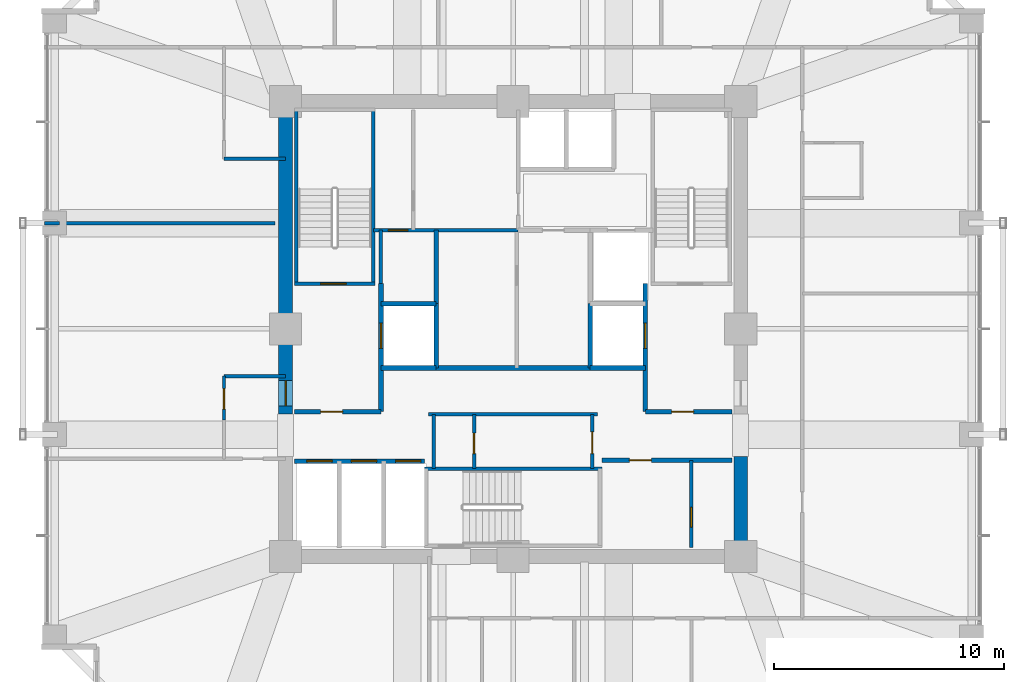
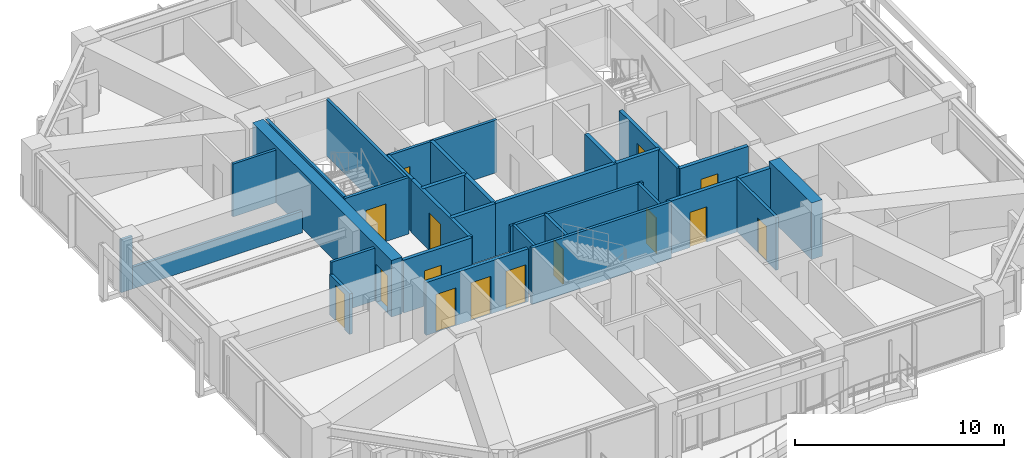
# One storey, part 34 of 39: 31 walls, 15 doors, 15 openings.
"""IFC4 building model written with IfcOpenShell, lengths in metres."""

from ifc_helpers import new_model, si_unit, direction, frame, frame_2d, origin, place, context, subcontext, project, spatial, rectangle, extrude, material, layer, layer_set, type_object, element, fill, save


model = new_model("IFC4")

# Units and contexts
model_context = context("Model", 3, precision=1e-05, world=origin(), true_north=direction((0.0, 1.0)))
body_context = subcontext(model_context, "Body", "Model", "MODEL_VIEW")
ifc_project = project(units=[si_unit("LENGTHUNIT", "METRE"), si_unit("AREAUNIT", "SQUARE_METRE"), si_unit("VOLUMEUNIT", "CUBIC_METRE"), si_unit("PLANEANGLEUNIT", "RADIAN"), si_unit("MASSUNIT", "GRAM", prefix="KILO")], contexts=[model_context])

# Site, building, storey
site_placement = place(None, origin())
site = spatial("IfcSite", under=ifc_project, at=site_placement, CompositionType="ELEMENT")
building_placement = place(site_placement, origin())
building = spatial("IfcBuilding", under=site, at=building_placement, Name="Kolvaren Belvedere", CompositionType="ELEMENT")
storey_placement = place(building_placement, frame((0.0, 0.0, 85.39990234375)))
storey = spatial("IfcBuildingStorey", under=building, at=storey_placement, Name="L24", CompositionType="ELEMENT", Elevation=85.39990234375)

# Wall
ifc_material_1 = material(Name="Concrete C60/75", Category="concrete")
ifc_layer_1 = layer(ifc_material_1, 0.60009765625)
ifc_layer_set_1 = layer_set([ifc_layer_1], Name="Concrete C60/75")
wall_type_1 = type_object("IfcWallType", Name="CW-CORE-600", PredefinedType="SHEAR", material=ifc_layer_set_1)
wall_1_placement = place(storey_placement, frame((9.89990234375, -9.60009765625, 0.0), z_axis=(0.0, 0.0, 1.0), x_axis=(0.0, 1.0, 0.0)))
element("IfcWall", 1, at=wall_1_placement, inside=storey, type_object=wall_type_1, Name="L24 East Core Shear Wall 1", PredefinedType="SHEAR", context=body_context, shape_type="SweptSolid", body=[
    extrude(rectangle(XDim=4.050048828125, YDim=0.60009765625, at=frame_2d((2.02490234375, 0.0))), origin(), (0.0, 0.0, 1.0), 3.300048828125),
])

# Wall, opening, door
wall_2_placement = place(storey_placement, frame((-9.89990234375, -3.699951171875, 0.0), z_axis=(0.0, 0.0, 1.0), x_axis=(0.0, 1.0, 0.0)))
wall_2 = element("IfcWall", 2, at=wall_2_placement, inside=storey, type_object=wall_type_1, Name="L24 West Core Shear Wall 2", PredefinedType="SHEAR", context=body_context, shape_type="SweptSolid", body=[
    extrude(rectangle(XDim=13.300048828125, YDim=0.60009765625, at=frame_2d((6.64990234375, 0.0))), origin(), (0.0, 0.0, 1.0), 3.300048828125),
])
opening_1_placement = place(wall_2_placement, frame((0.35009765625, 0.0, 0.0)))
opening_1 = element("IfcOpeningElement", 3, at=opening_1_placement, cuts=wall_2, Name="Opening D-FD90", PredefinedType="OPENING", context=body_context, shape_type="SweptSolid", body=[
    extrude(rectangle(XDim=1.10009765625, YDim=2.199951171875, at=frame_2d((0.550048828125, 1.10009765625))), frame((0.0, 0.31005859375, 0.0), z_axis=(0.0, -1.0, 0.0), x_axis=(1.0, 0.0, 0.0)), (0.0, 0.0, 1.0), 0.6201171875),
])
ifc_material_2 = material(Name="Painted hollow stainless steel", Category="steel")
door_type_1 = type_object("IfcDoorType", Name="DR-FD90-1100", OperationType="NOTDEFINED", PredefinedType="DOOR", material=ifc_material_2)
door_1_placement = place(opening_1_placement, origin())
door_1 = element("IfcDoor", 4, at=door_1_placement, inside=storey, type_object=door_type_1, Name="L24 West Firefighting Lobby Fire Door", OperationType="SINGLE_SWING_LEFT", OverallHeight=2.199951171875, OverallWidth=1.10009765625, PredefinedType="DOOR", context=body_context, shape_type="SweptSolid", body=[
    extrude(rectangle(XDim=1.10009765625, YDim=2.199951171875, at=frame_2d((0.550048828125, 1.10009765625))), frame((0.0, 0.02490234375, 0.0), z_axis=(0.0, -1.0, 0.0), x_axis=(1.0, 0.0, 0.0)), (0.0, 0.0, 1.0), 0.050048828125),
])
fill(opening_1, door_1)

ifc_material_3 = material(Name="Concrete C50/60", Category="concrete")
ifc_layer_2 = layer(ifc_material_3, 0.159912109375)
ifc_layer_set_2 = layer_set([ifc_layer_2], Name="Concrete C50/60")
wall_type_2 = type_object("IfcWallType", Name="CW-STAIR-160", PredefinedType="SHEAR", material=ifc_layer_set_2)
wall_3_placement = place(storey_placement, frame((-9.52001953125, 1.969970703125, 0.0), z_axis=(0.0, 0.0, 1.0), x_axis=(1.0, 0.0, 0.0)))
wall_3 = element("IfcWall", 5, at=wall_3_placement, inside=storey, type_object=wall_type_2, Name="L24 Stair ST-1 South Shear Wall", PredefinedType="SHEAR", context=body_context, shape_type="SweptSolid", body=[
    extrude(rectangle(XDim=3.52001953125, YDim=0.159912109375, at=frame_2d((1.760009765625, 0.0))), origin(), (0.0, 0.0, 1.0), 3.300048828125),
])
opening_2_placement = place(wall_3_placement, frame((1.14990234375, 0.0, 0.0)))
opening_2 = element("IfcOpeningElement", 6, at=opening_2_placement, cuts=wall_3, Name="Opening D-FD90", PredefinedType="OPENING", context=body_context, shape_type="SweptSolid", body=[
    extrude(rectangle(XDim=1.10009765625, YDim=2.199951171875, at=frame_2d((0.550048828125, 1.10009765625))), frame((0.0, 0.08984375, 0.0), z_axis=(0.0, -1.0, 0.0), x_axis=(1.0, 0.0, 0.0)), (0.0, 0.0, 1.0), 0.179931640625),
])
door_2_placement = place(opening_2_placement, origin())
door_2 = element("IfcDoor", 7, at=door_2_placement, inside=storey, type_object=door_type_1, Name="L24 Stair ST-1 Fire Door", OperationType="SINGLE_SWING_LEFT", OverallHeight=2.199951171875, OverallWidth=1.10009765625, PredefinedType="DOOR", context=body_context, shape_type="SweptSolid", body=[
    extrude(rectangle(XDim=1.10009765625, YDim=2.199951171875, at=frame_2d((0.550048828125, 1.10009765625))), frame((0.0, 0.02490234375, 0.0), z_axis=(0.0, -1.0, 0.0), x_axis=(1.0, 0.0, 0.0)), (0.0, 0.0, 1.0), 0.050048828125),
])
fill(opening_2, door_2)

# Walls
for number, where, z_axis, x_axis, name in (
    (8, (-9.429931640625, 1.969970703125, 0.0), (0.0, 0.0, 1.0), (0.0, 1.0, 0.0), "L24 Stair ST-1 West Shear Wall"),
    (9, (-6.080078125, 1.969970703125, 0.0), (0.0, 0.0, 1.0), (0.0, 1.0, 0.0), "L24 Stair ST-1 East Shear Wall"),
):
    element("IfcWall", number, at=place(storey_placement, frame(where, z_axis=z_axis, x_axis=x_axis)), inside=storey, type_object=wall_type_2, Name=name, PredefinedType="SHEAR", context=body_context, shape_type="SweptSolid", body=[
        extrude(rectangle(XDim=7.56005859375, YDim=0.159912109375, at=frame_2d((3.780029296875, 0.0))), origin(), (0.0, 0.0, 1.0), 3.300048828125),
    ])
wall_4_placement = place(storey_placement, frame((-3.860107421875, -6.080078125, 0.0), z_axis=(0.0, 0.0, 1.0), x_axis=(1.0, 0.0, 0.0)))
element("IfcWall", 10, at=wall_4_placement, inside=storey, type_object=wall_type_2, Name="L24 Stair ST-3 North Shear Wall", PredefinedType="SHEAR", context=body_context, shape_type="SweptSolid", body=[
    extrude(rectangle(XDim=7.72021484375, YDim=0.159912109375, at=frame_2d((3.860107421875, 0.0))), origin(), (0.0, 0.0, 1.0), 3.300048828125),
])
ifc_material_4 = material(Name="Gypsum fire-rated partition assembly", Category="gypsum")
ifc_layer_3 = layer(ifc_material_4, 0.14990234375)
ifc_layer_set_3 = layer_set([ifc_layer_3], Name="Gypsum fire-rated partition assembly")
wall_type_3 = type_object("IfcWallType", Name="WL-CORR-150", PredefinedType="PARTITIONING", material=ifc_layer_set_3)
wall_5_placement = place(storey_placement, frame((-12.580078125, 7.39990234375, 0.0), z_axis=(0.0, 0.0, 1.0), x_axis=(1.0, 0.0, 0.0)))
element("IfcWall", 11, at=wall_5_placement, inside=storey, type_object=wall_type_3, Name="L24 NW Core Closure Wall", PredefinedType="PARTITIONING", context=body_context, shape_type="SweptSolid", body=[
    extrude(rectangle(XDim=2.68017578125, YDim=0.14990234375, at=frame_2d((1.340087890625, 0.0))), origin(), (0.0, 0.0, 1.0), 3.080078125),
])

# Wall, opening, door
wall_6_placement = place(storey_placement, frame((-12.580078125, -3.9580078125, 0.0), z_axis=(0.0, 0.0, 1.0), x_axis=(0.0, 1.0, 0.0)))
wall_6 = element("IfcWall", 12, at=wall_6_placement, inside=storey, type_object=wall_type_3, Name="L24 West FSAE Pocket Wall", PredefinedType="PARTITIONING", context=body_context, shape_type="SweptSolid", body=[
    extrude(rectangle(XDim=1.907958984375, YDim=0.14990234375, at=frame_2d((0.9541015625, 0.0))), origin(), (0.0, 0.0, 1.0), 2.369140625),
])
opening_3_placement = place(wall_6_placement, frame((0.464111328125, 0.0, 0.0)))
opening_3 = element("IfcOpeningElement", 13, at=opening_3_placement, cuts=wall_6, Name="Opening D-INT90", PredefinedType="OPENING", context=body_context, shape_type="SweptSolid", body=[
    extrude(rectangle(XDim=0.89990234375, YDim=2.06005859375, at=frame_2d((0.449951171875, 1.030029296875))), frame((0.0, 0.0849609375, 0.0), z_axis=(0.0, -1.0, 0.0), x_axis=(1.0, 0.0, 0.0)), (0.0, 0.0, 1.0), 0.169921875),
])
ifc_material_5 = material(Name="Stained Pacific white oak", Category="timber")
door_type_2 = type_object("IfcDoorType", Name="DR-INT-900", OperationType="NOTDEFINED", PredefinedType="DOOR", material=ifc_material_5)
door_3_placement = place(opening_3_placement, origin())
door_3 = element("IfcDoor", 14, at=door_3_placement, inside=storey, type_object=door_type_2, Name="L24 Lounge 2408 Door", OperationType="SINGLE_SWING_RIGHT", OverallHeight=2.06005859375, OverallWidth=0.89990234375, PredefinedType="DOOR", context=body_context, shape_type="SweptSolid", body=[
    extrude(rectangle(XDim=0.89990234375, YDim=2.06005859375, at=frame_2d((0.449951171875, 1.030029296875))), frame((0.0, 0.02490234375, 0.0), z_axis=(0.0, -1.0, 0.0), x_axis=(1.0, 0.0, 0.0)), (0.0, 0.0, 1.0), 0.050048828125),
])
fill(opening_3, door_3)

# Wall
wall_7_placement = place(storey_placement, frame((-12.580078125, -2.050048828125, 0.0), z_axis=(0.0, 0.0, 1.0), x_axis=(1.0, 0.0, 0.0)))
element("IfcWall", 15, at=wall_7_placement, inside=storey, type_object=wall_type_3, Name="L24 West Pocket North Closure Wall", PredefinedType="PARTITIONING", context=body_context, shape_type="SweptSolid", body=[
    extrude(rectangle(XDim=2.68017578125, YDim=0.14990234375, at=frame_2d((1.340087890625, 0.0))), origin(), (0.0, 0.0, 1.0), 3.080078125),
])

# Wall, opening, door
ifc_material_6 = material(Name="Gypsum acoustic partition assembly", Category="gypsum")
ifc_layer_4 = layer(ifc_material_6, 0.14990234375)
ifc_layer_set_4 = layer_set([ifc_layer_4], Name="Gypsum acoustic partition assembly")
wall_type_4 = type_object("IfcWallType", Name="WL-PART-150", PredefinedType="PARTITIONING", material=ifc_layer_set_4)
wall_8_placement = place(storey_placement, frame((-6.080078125, 4.300048828125, 0.0), z_axis=(0.0, 0.0, 1.0), x_axis=(1.0, 0.0, 0.0)))
wall_8 = element("IfcWall", 16, at=wall_8_placement, inside=storey, type_object=wall_type_4, Name="L24 Reclaimed Salon South Wall", PredefinedType="PARTITIONING", context=body_context, shape_type="SweptSolid", body=[
    extrude(rectangle(XDim=6.300048828125, YDim=0.14990234375, at=frame_2d((3.14990234375, 0.0))), origin(), (0.0, 0.0, 1.0), 3.080078125),
])
opening_4_placement = place(wall_8_placement, frame((0.64990234375, 0.0, 0.0)))
opening_4 = element("IfcOpeningElement", 17, at=opening_4_placement, cuts=wall_8, Name="Opening D-INT85", PredefinedType="OPENING", context=body_context, shape_type="SweptSolid", body=[
    extrude(rectangle(XDim=0.85009765625, YDim=2.030029296875, at=frame_2d((0.425048828125, 1.01513671875))), frame((0.0, 0.0849609375, 0.0), z_axis=(0.0, -1.0, 0.0), x_axis=(1.0, 0.0, 0.0)), (0.0, 0.0, 1.0), 0.169921875),
])
ifc_material_7 = material(Name="Stained Pacific white oak", Category="timber")
door_type_3 = type_object("IfcDoorType", Name="DR-INT-850", OperationType="NOTDEFINED", PredefinedType="DOOR", material=ifc_material_7)
door_4_placement = place(opening_4_placement, origin())
door_4 = element("IfcDoor", 18, at=door_4_placement, inside=storey, type_object=door_type_3, Name="L24 NW Core Store Door", OperationType="SINGLE_SWING_RIGHT", OverallHeight=2.030029296875, OverallWidth=0.85009765625, PredefinedType="DOOR", context=body_context, shape_type="SweptSolid", body=[
    extrude(rectangle(XDim=0.85009765625, YDim=2.030029296875, at=frame_2d((0.425048828125, 1.01513671875))), frame((0.0, 0.02490234375, 0.0), z_axis=(0.0, -1.0, 0.0), x_axis=(1.0, 0.0, 0.0)), (0.0, 0.0, 1.0), 0.050048828125),
])
fill(opening_4, door_4)

wall_9_placement = place(storey_placement, frame((7.75, -9.52001953125, 0.0), z_axis=(0.0, 0.0, 1.0), x_axis=(0.0, 1.0, 0.0)))
wall_9 = element("IfcWall", 19, at=wall_9_placement, inside=storey, type_object=wall_type_4, Name="L24 SE Core Asymmetric Divider", PredefinedType="PARTITIONING", context=body_context, shape_type="SweptSolid", body=[
    extrude(rectangle(XDim=3.800048828125, YDim=0.14990234375, at=frame_2d((1.89990234375, 0.0))), origin(), (0.0, 0.0, 1.0), 3.080078125),
])
opening_5_placement = place(wall_9_placement, frame((0.89990234375, 0.0, 0.0)))
opening_5 = element("IfcOpeningElement", 20, at=opening_5_placement, cuts=wall_9, Name="Opening D-INT85", PredefinedType="OPENING", context=body_context, shape_type="SweptSolid", body=[
    extrude(rectangle(XDim=0.85009765625, YDim=2.030029296875, at=frame_2d((0.425048828125, 1.01513671875))), frame((0.0, 0.0849609375, 0.0), z_axis=(0.0, -1.0, 0.0), x_axis=(1.0, 0.0, 0.0)), (0.0, 0.0, 1.0), 0.169921875),
])
door_5_placement = place(opening_5_placement, origin())
door_5 = element("IfcDoor", 21, at=door_5_placement, inside=storey, type_object=door_type_3, Name="L24 SE Janitor Door", OperationType="SINGLE_SWING_LEFT", OverallHeight=2.030029296875, OverallWidth=0.85009765625, PredefinedType="DOOR", context=body_context, shape_type="SweptSolid", body=[
    extrude(rectangle(XDim=0.85009765625, YDim=2.030029296875, at=frame_2d((0.425048828125, 1.01513671875))), frame((0.0, 0.02490234375, 0.0), z_axis=(0.0, -1.0, 0.0), x_axis=(1.0, 0.0, 0.0)), (0.0, 0.0, 1.0), 0.050048828125),
])
fill(opening_5, door_5)

# Wall
wall_10_placement = place(storey_placement, frame((-3.679931640625, -3.719970703125, 0.0), z_axis=(0.0, 0.0, 1.0), x_axis=(1.0, 0.0, 0.0)))
element("IfcWall", 22, at=wall_10_placement, inside=storey, type_object=wall_type_4, Name="L24 South Core Service North Wall", PredefinedType="PARTITIONING", context=body_context, shape_type="SweptSolid", body=[
    extrude(rectangle(XDim=7.35986328125, YDim=0.14990234375, at=frame_2d((3.679931640625, 0.0))), origin(), (0.0, 0.0, 1.0), 3.080078125),
])

# Wall, opening, door
wall_11_placement = place(storey_placement, frame((3.449951171875, -6.080078125, 0.0), z_axis=(0.0, 0.0, 1.0), x_axis=(0.0, 1.0, 0.0)))
wall_11 = element("IfcWall", 23, at=wall_11_placement, inside=storey, type_object=wall_type_4, Name="L24 South Core Service East Wall", PredefinedType="PARTITIONING", context=body_context, shape_type="SweptSolid", body=[
    extrude(rectangle(XDim=2.360107421875, YDim=0.14990234375, at=frame_2d((1.18017578125, 0.0))), origin(), (0.0, 0.0, 1.0), 3.080078125),
])
opening_6_placement = place(wall_11_placement, frame((0.64990234375, 0.0, 0.0)))
opening_6 = element("IfcOpeningElement", 24, at=opening_6_placement, cuts=wall_11, Name="Opening D-FD60", PredefinedType="OPENING", context=body_context, shape_type="SweptSolid", body=[
    extrude(rectangle(XDim=0.949951171875, YDim=2.06005859375, at=frame_2d((0.47509765625, 1.030029296875))), frame((0.0, 0.0849609375, 0.0), z_axis=(0.0, -1.0, 0.0), x_axis=(1.0, 0.0, 0.0)), (0.0, 0.0, 1.0), 0.169921875),
])
ifc_material_8 = material(Name="Acoustic white-oak fire door leaf", Category="timber")
door_type_4 = type_object("IfcDoorType", Name="DR-FD60-950", OperationType="NOTDEFINED", PredefinedType="DOOR", material=ifc_material_8)
door_6_placement = place(opening_6_placement, origin())
door_6 = element("IfcDoor", 25, at=door_6_placement, inside=storey, type_object=door_type_4, Name="L24 Core Service Room Door", OperationType="SINGLE_SWING_LEFT", OverallHeight=2.06005859375, OverallWidth=0.949951171875, PredefinedType="DOOR", context=body_context, shape_type="SweptSolid", body=[
    extrude(rectangle(XDim=0.949951171875, YDim=2.06005859375, at=frame_2d((0.47509765625, 1.030029296875))), frame((0.0, 0.02490234375, 0.0), z_axis=(0.0, -1.0, 0.0), x_axis=(1.0, 0.0, 0.0)), (0.0, 0.0, 1.0), 0.050048828125),
])
fill(opening_6, door_6)

# Wall
wall_12_placement = place(storey_placement, frame((-3.449951171875, -6.080078125, 0.0), z_axis=(0.0, 0.0, 1.0), x_axis=(0.0, 1.0, 0.0)))
element("IfcWall", 26, at=wall_12_placement, inside=storey, type_object=wall_type_4, Name="L24 South Core Service West Wall", PredefinedType="PARTITIONING", context=body_context, shape_type="SweptSolid", body=[
    extrude(rectangle(XDim=2.360107421875, YDim=0.14990234375, at=frame_2d((1.18017578125, 0.0))), origin(), (0.0, 0.0, 1.0), 3.080078125),
])

# Wall, opening, door
wall_13_placement = place(storey_placement, frame((-1.699951171875, -6.080078125, 0.0), z_axis=(0.0, 0.0, 1.0), x_axis=(0.0, 1.0, 0.0)))
wall_13 = element("IfcWall", 27, at=wall_13_placement, inside=storey, type_object=wall_type_4, Name="L24 Core Service Divider", PredefinedType="PARTITIONING", context=body_context, shape_type="SweptSolid", body=[
    extrude(rectangle(XDim=2.360107421875, YDim=0.14990234375, at=frame_2d((1.18017578125, 0.0))), origin(), (0.0, 0.0, 1.0), 3.080078125),
])
opening_7_placement = place(wall_13_placement, frame((0.64990234375, 0.0, 0.0)))
opening_7 = element("IfcOpeningElement", 28, at=opening_7_placement, cuts=wall_13, Name="Opening D-INT90", PredefinedType="OPENING", context=body_context, shape_type="SweptSolid", body=[
    extrude(rectangle(XDim=0.89990234375, YDim=2.06005859375, at=frame_2d((0.449951171875, 1.030029296875))), frame((0.0, 0.0849609375, 0.0), z_axis=(0.0, -1.0, 0.0), x_axis=(1.0, 0.0, 0.0)), (0.0, 0.0, 1.0), 0.169921875),
])
door_7_placement = place(opening_7_placement, origin())
door_7 = element("IfcDoor", 29, at=door_7_placement, inside=storey, type_object=door_type_2, Name="L24 Telecom Inner Door", OperationType="SINGLE_SWING_RIGHT", OverallHeight=2.06005859375, OverallWidth=0.89990234375, PredefinedType="DOOR", context=body_context, shape_type="SweptSolid", body=[
    extrude(rectangle(XDim=0.89990234375, YDim=2.06005859375, at=frame_2d((0.449951171875, 1.030029296875))), frame((0.0, 0.02490234375, 0.0), z_axis=(0.0, -1.0, 0.0), x_axis=(1.0, 0.0, 0.0)), (0.0, 0.0, 1.0), 0.050048828125),
])
fill(opening_7, door_7)

# Walls
wall_14_placement = place(storey_placement, frame((-5.75, 1.969970703125, 0.0), z_axis=(0.0, 0.0, 1.0), x_axis=(0.0, 1.0, 0.0)))
element("IfcWall", 30, at=wall_14_placement, inside=storey, type_object=wall_type_4, Name="L24 NW Service Room West Wall", PredefinedType="PARTITIONING", context=body_context, shape_type="SweptSolid", body=[
    extrude(rectangle(XDim=2.330078125, YDim=0.14990234375, at=frame_2d((1.1650390625, 0.0))), origin(), (0.0, 0.0, 1.0), 3.080078125),
])
wall_15_placement = place(storey_placement, frame((-20.3798828125, 4.60009765625, 0.0), z_axis=(0.0, 0.0, 1.0), x_axis=(1.0, 0.0, 0.0)))
element("IfcWall", 31, at=wall_15_placement, inside=storey, type_object=wall_type_4, Name="L24 West Upper Suite Divider", PredefinedType="PARTITIONING", context=body_context, shape_type="SweptSolid", body=[
    extrude(rectangle(XDim=0.635986328125, YDim=0.14990234375, at=frame_2d((0.31787109375, 0.0))), origin(), (0.0, 0.0, 1.0), 3.080078125),
])
wall_16_placement = place(storey_placement, frame((-19.743896484375, 4.60009765625, 0.0), z_axis=(0.0, 0.0, 1.0), x_axis=(1.0, 0.0, 0.0)))
element("IfcWall", 32, at=wall_16_placement, inside=storey, type_object=wall_type_4, Name="L24 West Upper Suite Divider", PredefinedType="PARTITIONING", context=body_context, shape_type="SweptSolid", body=[
    extrude(rectangle(XDim=9.3837890625, YDim=0.14990234375, at=frame_2d((4.69189453125, 0.0))), origin(), (0.0, 0.0, 1.0), 1.26513671875),
])

# Wall, opening, door
ifc_material_9 = material(Name="Concrete C50/60", Category="concrete")
ifc_layer_5 = layer(ifc_material_9, 0.199951171875)
ifc_layer_set_5 = layer_set([ifc_layer_5], Name="Concrete C50/60")
wall_type_5 = type_object("IfcWallType", Name="WL-SHAFT-200", PredefinedType="SOLIDWALL", material=ifc_layer_set_5)
wall_17_placement = place(storey_placement, frame((-9.52001953125, -3.60009765625, 0.0), z_axis=(0.0, 0.0, 1.0), x_axis=(1.0, 0.0, 0.0)))
wall_17 = element("IfcWall", 33, at=wall_17_placement, inside=storey, type_object=wall_type_5, Name="L24 West FSAE Lobby South Wall", PredefinedType="SOLIDWALL", context=body_context, shape_type="SweptSolid", body=[
    extrude(rectangle(XDim=3.77001953125, YDim=0.199951171875, at=frame_2d((1.885009765625, 0.0))), origin(), (0.0, 0.0, 1.0), 3.080078125),
])
opening_8_placement = place(wall_17_placement, frame((1.14990234375, 0.0, 0.0)))
opening_8 = element("IfcOpeningElement", 34, at=opening_8_placement, cuts=wall_17, Name="Opening D-FD60", PredefinedType="OPENING", context=body_context, shape_type="SweptSolid", body=[
    extrude(rectangle(XDim=0.949951171875, YDim=2.06005859375, at=frame_2d((0.47509765625, 1.030029296875))), frame((0.0, 0.10986328125, 0.0), z_axis=(0.0, -1.0, 0.0), x_axis=(1.0, 0.0, 0.0)), (0.0, 0.0, 1.0), 0.219970703125),
])
door_8_placement = place(opening_8_placement, origin())
door_8 = element("IfcDoor", 35, at=door_8_placement, inside=storey, type_object=door_type_4, Name="L24 Mid-Rise Lift Lobby Fire Door", OperationType="SINGLE_SWING_LEFT", OverallHeight=2.06005859375, OverallWidth=0.949951171875, PredefinedType="DOOR", context=body_context, shape_type="SweptSolid", body=[
    extrude(rectangle(XDim=0.949951171875, YDim=2.06005859375, at=frame_2d((0.47509765625, 1.030029296875))), frame((0.0, 0.02490234375, 0.0), z_axis=(0.0, -1.0, 0.0), x_axis=(1.0, 0.0, 0.0)), (0.0, 0.0, 1.0), 0.050048828125),
])
fill(opening_8, door_8)

wall_18_placement = place(storey_placement, frame((-5.75, -3.60009765625, 0.0), z_axis=(0.0, 0.0, 1.0), x_axis=(0.0, 1.0, 0.0)))
wall_18 = element("IfcWall", 36, at=wall_18_placement, inside=storey, type_object=wall_type_5, Name="L24 FSAE FS1 Landing Wall", PredefinedType="SOLIDWALL", context=body_context, shape_type="SweptSolid", body=[
    extrude(rectangle(XDim=5.570068359375, YDim=0.199951171875, at=frame_2d((2.78515625, 0.0))), origin(), (0.0, 0.0, 1.0), 3.080078125),
])
opening_9_placement = place(wall_18_placement, frame((2.75, 0.0, 0.0)))
opening_9 = element("IfcOpeningElement", 37, at=opening_9_placement, cuts=wall_18, Name="Opening LD-11", PredefinedType="OPENING", context=body_context, shape_type="SweptSolid", body=[
    extrude(rectangle(XDim=1.10009765625, YDim=2.199951171875, at=frame_2d((0.550048828125, 1.10009765625))), frame((0.0, 0.10986328125, 0.0), z_axis=(0.0, -1.0, 0.0), x_axis=(1.0, 0.0, 0.0)), (0.0, 0.0, 1.0), 0.219970703125),
])
ifc_material_10 = material(Name="Brushed stainless steel", Category="steel")
door_type_5 = type_object("IfcDoorType", Name="DR-LIFT-1100", OperationType="DOUBLE_DOOR_SLIDING", PredefinedType="DOOR", material=ifc_material_10)
door_9_placement = place(opening_9_placement, origin())
door_9 = element("IfcDoor", 38, at=door_9_placement, inside=storey, type_object=door_type_5, Name="L24 Firefighting Lift FS1 Landing Door", OperationType="DOUBLE_DOOR_SLIDING", OverallHeight=2.199951171875, OverallWidth=1.10009765625, PredefinedType="DOOR", context=body_context, shape_type="SweptSolid", body=[
    extrude(rectangle(XDim=1.10009765625, YDim=2.199951171875, at=frame_2d((0.550048828125, 1.10009765625))), frame((0.0, 0.02490234375, 0.0), z_axis=(0.0, -1.0, 0.0), x_axis=(1.0, 0.0, 0.0)), (0.0, 0.0, 1.0), 0.050048828125),
])
fill(opening_9, door_9)

# Walls
wall_19_placement = place(storey_placement, frame((-3.35009765625, -1.699951171875, 0.0), z_axis=(0.0, 0.0, 1.0), x_axis=(0.0, 1.0, 0.0)))
element("IfcWall", 39, at=wall_19_placement, inside=storey, type_object=wall_type_5, Name="L24 FSAE FS1 Back Wall", PredefinedType="SOLIDWALL", context=body_context, shape_type="SweptSolid", body=[
    extrude(rectangle(XDim=2.800048828125, YDim=0.199951171875, at=frame_2d((1.39990234375, 0.0))), origin(), (0.0, 0.0, 1.0), 3.080078125),
])
for number, where, z_axis, x_axis, name in (
    (40, (-5.75, -1.699951171875, 0.0), (0.0, 0.0, 1.0), (1.0, 0.0, 0.0), "L24 FSAE FS1 South Wall"),
    (41, (-5.75, 1.10009765625, 0.0), (0.0, 0.0, 1.0), (1.0, 0.0, 0.0), "L24 FSAE FS1 North Wall"),
):
    element("IfcWall", number, at=place(storey_placement, frame(where, z_axis=z_axis, x_axis=x_axis)), inside=storey, type_object=wall_type_5, Name=name, PredefinedType="SOLIDWALL", context=body_context, shape_type="SweptSolid", body=[
        extrude(rectangle(XDim=2.39990234375, YDim=0.199951171875, at=frame_2d((1.199951171875, 0.0))), origin(), (0.0, 0.0, 1.0), 3.080078125),
    ])

# Wall, opening, door
wall_20_placement = place(storey_placement, frame((5.75, -3.60009765625, 0.0), z_axis=(0.0, 0.0, 1.0), x_axis=(1.0, 0.0, 0.0)))
wall_20 = element("IfcWall", 42, at=wall_20_placement, inside=storey, type_object=wall_type_5, Name="L24 East FSAE Lobby South Wall", PredefinedType="SOLIDWALL", context=body_context, shape_type="SweptSolid", body=[
    extrude(rectangle(XDim=3.77001953125, YDim=0.199951171875, at=frame_2d((1.885009765625, 0.0))), origin(), (0.0, 0.0, 1.0), 3.080078125),
])
opening_10_placement = place(wall_20_placement, frame((1.14990234375, 0.0, 0.0)))
opening_10 = element("IfcOpeningElement", 43, at=opening_10_placement, cuts=wall_20, Name="Opening D-FD60", PredefinedType="OPENING", context=body_context, shape_type="SweptSolid", body=[
    extrude(rectangle(XDim=0.949951171875, YDim=2.06005859375, at=frame_2d((0.47509765625, 1.030029296875))), frame((0.0, 0.10986328125, 0.0), z_axis=(0.0, -1.0, 0.0), x_axis=(1.0, 0.0, 0.0)), (0.0, 0.0, 1.0), 0.219970703125),
])
door_10_placement = place(opening_10_placement, origin())
door_10 = element("IfcDoor", 44, at=door_10_placement, inside=storey, type_object=door_type_4, Name="L24 SE Lift Lobby Fire Door", OperationType="SINGLE_SWING_RIGHT", OverallHeight=2.06005859375, OverallWidth=0.949951171875, PredefinedType="DOOR", context=body_context, shape_type="SweptSolid", body=[
    extrude(rectangle(XDim=0.949951171875, YDim=2.06005859375, at=frame_2d((0.47509765625, 1.030029296875))), frame((0.0, 0.02490234375, 0.0), z_axis=(0.0, -1.0, 0.0), x_axis=(1.0, 0.0, 0.0)), (0.0, 0.0, 1.0), 0.050048828125),
])
fill(opening_10, door_10)

wall_21_placement = place(storey_placement, frame((5.75, -3.60009765625, 0.0), z_axis=(0.0, 0.0, 1.0), x_axis=(0.0, 1.0, 0.0)))
wall_21 = element("IfcWall", 45, at=wall_21_placement, inside=storey, type_object=wall_type_5, Name="L24 FSAE FS2 Landing Wall", PredefinedType="SOLIDWALL", context=body_context, shape_type="SweptSolid", body=[
    extrude(rectangle(XDim=5.570068359375, YDim=0.199951171875, at=frame_2d((2.78515625, 0.0))), origin(), (0.0, 0.0, 1.0), 3.080078125),
])
opening_11_placement = place(wall_21_placement, frame((2.75, 0.0, 0.0)))
opening_11 = element("IfcOpeningElement", 46, at=opening_11_placement, cuts=wall_21, Name="Opening LD-11", PredefinedType="OPENING", context=body_context, shape_type="SweptSolid", body=[
    extrude(rectangle(XDim=1.10009765625, YDim=2.199951171875, at=frame_2d((0.550048828125, 1.10009765625))), frame((0.0, 0.10986328125, 0.0), z_axis=(0.0, -1.0, 0.0), x_axis=(1.0, 0.0, 0.0)), (0.0, 0.0, 1.0), 0.219970703125),
])
door_11_placement = place(opening_11_placement, origin())
door_11 = element("IfcDoor", 47, at=door_11_placement, inside=storey, type_object=door_type_5, Name="L24 Firefighting Lift FS2 Landing Door", OperationType="DOUBLE_DOOR_SLIDING", OverallHeight=2.199951171875, OverallWidth=1.10009765625, PredefinedType="DOOR", context=body_context, shape_type="SweptSolid", body=[
    extrude(rectangle(XDim=1.10009765625, YDim=2.199951171875, at=frame_2d((0.550048828125, 1.10009765625))), frame((0.0, 0.02490234375, 0.0), z_axis=(0.0, -1.0, 0.0), x_axis=(1.0, 0.0, 0.0)), (0.0, 0.0, 1.0), 0.050048828125),
])
fill(opening_11, door_11)

# Walls
wall_22_placement = place(storey_placement, frame((3.35009765625, -1.699951171875, 0.0), z_axis=(0.0, 0.0, 1.0), x_axis=(0.0, 1.0, 0.0)))
element("IfcWall", 48, at=wall_22_placement, inside=storey, type_object=wall_type_5, Name="L24 FSAE FS2 Back Wall", PredefinedType="SOLIDWALL", context=body_context, shape_type="SweptSolid", body=[
    extrude(rectangle(XDim=2.800048828125, YDim=0.199951171875, at=frame_2d((1.39990234375, 0.0))), origin(), (0.0, 0.0, 1.0), 3.080078125),
])
wall_23_placement = place(storey_placement, frame((3.35009765625, -1.699951171875, 0.0), z_axis=(0.0, 0.0, 1.0), x_axis=(1.0, 0.0, 0.0)))
element("IfcWall", 49, at=wall_23_placement, inside=storey, type_object=wall_type_5, Name="L24 FSAE FS2 South Wall", PredefinedType="SOLIDWALL", context=body_context, shape_type="SweptSolid", body=[
    extrude(rectangle(XDim=2.39990234375, YDim=0.199951171875, at=frame_2d((1.199951171875, 0.0))), origin(), (0.0, 0.0, 1.0), 3.080078125),
])

# Wall, openings, doors
wall_24_placement = place(storey_placement, frame((-9.52001953125, -5.75, 0.0), z_axis=(0.0, 0.0, 1.0), x_axis=(1.0, 0.0, 0.0)))
wall_24 = element("IfcWall", 50, at=wall_24_placement, inside=storey, type_object=wall_type_5, Name="L24 Mid-Rise Lift Bank Front Wall", PredefinedType="SOLIDWALL", context=body_context, shape_type="SweptSolid", body=[
    extrude(rectangle(XDim=5.659912109375, YDim=0.199951171875, at=frame_2d((2.830078125, 0.0))), origin(), (0.0, 0.0, 1.0), 3.080078125),
])
opening_12_placement = place(wall_24_placement, frame((0.550048828125, 0.0, 0.0)))
opening_12 = element("IfcOpeningElement", 51, at=opening_12_placement, cuts=wall_24, Name="Opening LD-11", PredefinedType="OPENING", context=body_context, shape_type="SweptSolid", body=[
    extrude(rectangle(XDim=1.10009765625, YDim=2.199951171875, at=frame_2d((0.550048828125, 1.10009765625))), frame((0.0, 0.10986328125, 0.0), z_axis=(0.0, -1.0, 0.0), x_axis=(1.0, 0.0, 0.0)), (0.0, 0.0, 1.0), 0.219970703125),
])
opening_13_placement = place(wall_24_placement, frame((2.47998046875, 0.0, 0.0)))
opening_13 = element("IfcOpeningElement", 52, at=opening_13_placement, cuts=wall_24, Name="Opening LD-11", PredefinedType="OPENING", context=body_context, shape_type="SweptSolid", body=[
    extrude(rectangle(XDim=1.10009765625, YDim=2.199951171875, at=frame_2d((0.550048828125, 1.10009765625))), frame((0.0, 0.10986328125, 0.0), z_axis=(0.0, -1.0, 0.0), x_axis=(1.0, 0.0, 0.0)), (0.0, 0.0, 1.0), 0.219970703125),
])
opening_14_placement = place(wall_24_placement, frame((4.409912109375, 0.0, 0.0)))
opening_14 = element("IfcOpeningElement", 53, at=opening_14_placement, cuts=wall_24, Name="Opening LD-11", PredefinedType="OPENING", context=body_context, shape_type="SweptSolid", body=[
    extrude(rectangle(XDim=1.10009765625, YDim=2.199951171875, at=frame_2d((0.550048828125, 1.10009765625))), frame((0.0, 0.10986328125, 0.0), z_axis=(0.0, -1.0, 0.0), x_axis=(1.0, 0.0, 0.0)), (0.0, 0.0, 1.0), 0.219970703125),
])
door_12_placement = place(opening_12_placement, origin())
door_12 = element("IfcDoor", 54, at=door_12_placement, inside=storey, type_object=door_type_5, Name="L24 Passenger Lift P4 Landing Door", OperationType="DOUBLE_DOOR_SLIDING", OverallHeight=2.199951171875, OverallWidth=1.10009765625, PredefinedType="DOOR", context=body_context, shape_type="SweptSolid", body=[
    extrude(rectangle(XDim=1.10009765625, YDim=2.199951171875, at=frame_2d((0.550048828125, 1.10009765625))), frame((0.0, 0.02490234375, 0.0), z_axis=(0.0, -1.0, 0.0), x_axis=(1.0, 0.0, 0.0)), (0.0, 0.0, 1.0), 0.050048828125),
])
fill(opening_12, door_12)
door_13_placement = place(opening_13_placement, origin())
door_13 = element("IfcDoor", 55, at=door_13_placement, inside=storey, type_object=door_type_5, Name="L24 Passenger Lift P5 Landing Door", OperationType="DOUBLE_DOOR_SLIDING", OverallHeight=2.199951171875, OverallWidth=1.10009765625, PredefinedType="DOOR", context=body_context, shape_type="SweptSolid", body=[
    extrude(rectangle(XDim=1.10009765625, YDim=2.199951171875, at=frame_2d((0.550048828125, 1.10009765625))), frame((0.0, 0.02490234375, 0.0), z_axis=(0.0, -1.0, 0.0), x_axis=(1.0, 0.0, 0.0)), (0.0, 0.0, 1.0), 0.050048828125),
])
fill(opening_13, door_13)
door_14_placement = place(opening_14_placement, origin())
door_14 = element("IfcDoor", 56, at=door_14_placement, inside=storey, type_object=door_type_5, Name="L24 Passenger Lift P6 Landing Door", OperationType="DOUBLE_DOOR_SLIDING", OverallHeight=2.199951171875, OverallWidth=1.10009765625, PredefinedType="DOOR", context=body_context, shape_type="SweptSolid", body=[
    extrude(rectangle(XDim=1.10009765625, YDim=2.199951171875, at=frame_2d((0.550048828125, 1.10009765625))), frame((0.0, 0.02490234375, 0.0), z_axis=(0.0, -1.0, 0.0), x_axis=(1.0, 0.0, 0.0)), (0.0, 0.0, 1.0), 0.050048828125),
])
fill(opening_14, door_14)

# Wall, opening, door
wall_25_placement = place(storey_placement, frame((3.860107421875, -5.719970703125, 0.0), z_axis=(0.0, 0.0, 1.0), x_axis=(1.0, 0.0, 0.0)))
wall_25 = element("IfcWall", 57, at=wall_25_placement, inside=storey, type_object=wall_type_5, Name="L24 SE Core Distribution Wall", PredefinedType="SOLIDWALL", context=body_context, shape_type="SweptSolid", body=[
    extrude(rectangle(XDim=5.659912109375, YDim=0.199951171875, at=frame_2d((2.830078125, 0.0))), origin(), (0.0, 0.0, 1.0), 3.080078125),
])
opening_15_placement = place(wall_25_placement, frame((1.199951171875, 0.0, 0.0)))
opening_15 = element("IfcOpeningElement", 58, at=opening_15_placement, cuts=wall_25, Name="Opening D-FD60", PredefinedType="OPENING", context=body_context, shape_type="SweptSolid", body=[
    extrude(rectangle(XDim=0.949951171875, YDim=2.06005859375, at=frame_2d((0.47509765625, 1.030029296875))), frame((0.0, 0.10986328125, 0.0), z_axis=(0.0, -1.0, 0.0), x_axis=(1.0, 0.0, 0.0)), (0.0, 0.0, 1.0), 0.219970703125),
])
door_15_placement = place(opening_15_placement, origin())
door_15 = element("IfcDoor", 59, at=door_15_placement, inside=storey, type_object=door_type_4, Name="L24 SE BMS Store Door", OperationType="SINGLE_SWING_RIGHT", OverallHeight=2.06005859375, OverallWidth=0.949951171875, PredefinedType="DOOR", context=body_context, shape_type="SweptSolid", body=[
    extrude(rectangle(XDim=0.949951171875, YDim=2.06005859375, at=frame_2d((0.47509765625, 1.030029296875))), frame((0.0, 0.02490234375, 0.0), z_axis=(0.0, -1.0, 0.0), x_axis=(1.0, 0.0, 0.0)), (0.0, 0.0, 1.0), 0.050048828125),
])
fill(opening_15, door_15)

# Walls
wall_26_placement = place(storey_placement, frame((-3.35009765625, -1.699951171875, 0.0), z_axis=(0.0, 0.0, 1.0), x_axis=(1.0, 0.0, 0.0)))
element("IfcWall", 60, at=wall_26_placement, inside=storey, type_object=wall_type_5, Name="L24 Central Core Room South Wall", PredefinedType="SOLIDWALL", context=body_context, shape_type="SweptSolid", body=[
    extrude(rectangle(XDim=6.7001953125, YDim=0.199951171875, at=frame_2d((3.35009765625, 0.0))), origin(), (0.0, 0.0, 1.0), 3.080078125),
])
wall_27_placement = place(storey_placement, frame((-3.35009765625, 1.10009765625, 0.0), z_axis=(0.0, 0.0, 1.0), x_axis=(0.0, 1.0, 0.0)))
element("IfcWall", 61, at=wall_27_placement, inside=storey, type_object=wall_type_5, Name="L24 Central Core Room West Wall", PredefinedType="SOLIDWALL", context=body_context, shape_type="SweptSolid", body=[
    extrude(rectangle(XDim=3.199951171875, YDim=0.199951171875, at=frame_2d((1.60009765625, 0.0))), origin(), (0.0, 0.0, 1.0), 3.080078125),
])

save(model, "model.ifc")
